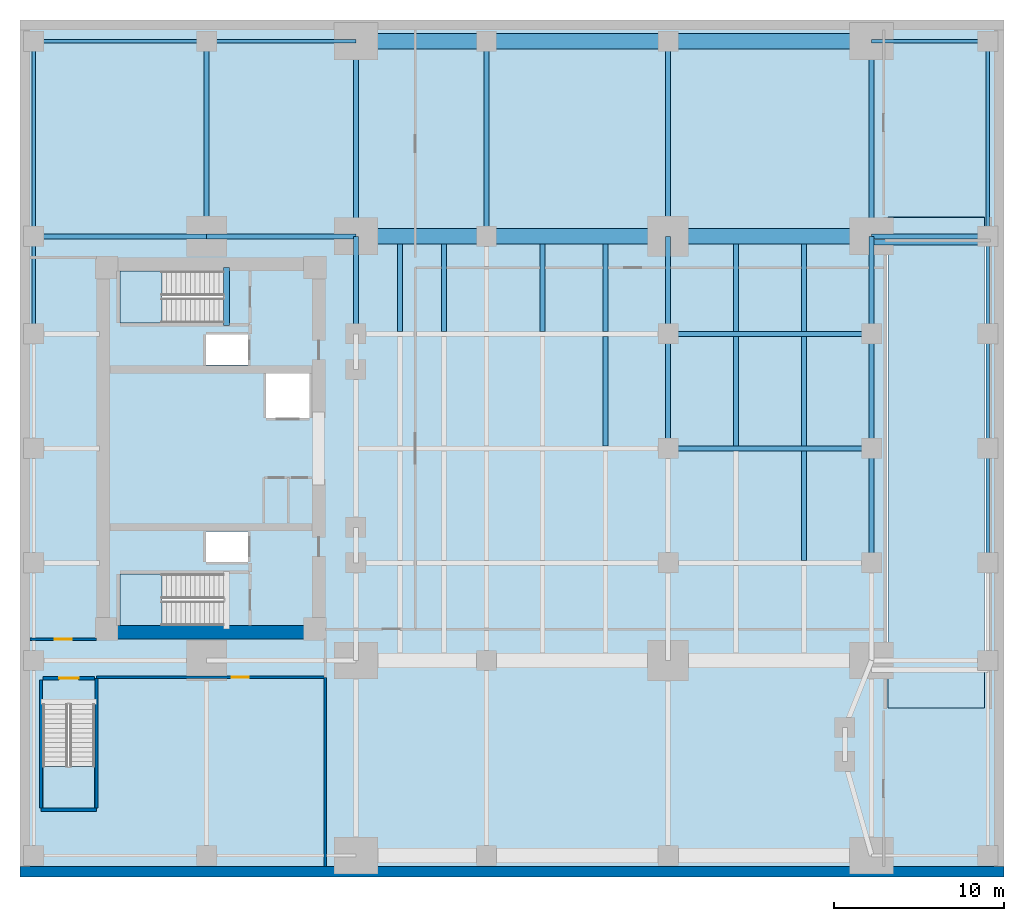
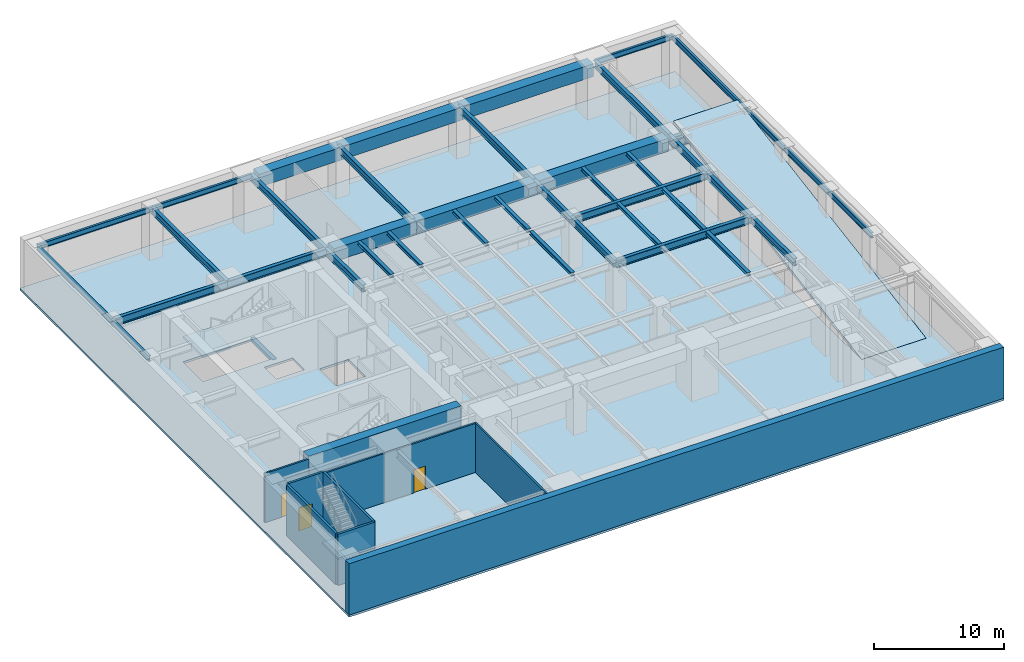
# One storey, part 2 of 5: 43 beams, 9 walls, 5 slabs, 3 doors, 3 openings, 3 elements without a shape of their own.
"""IFC4 building model written with IfcOpenShell, lengths in metres."""

from ifc_helpers import new_model, si_unit, direction, frame, frame_2d, origin, origin_2d, place, context, subcontext, project, spatial, polyline, rectangle, i_section, outline, extrude, material, layer, layer_set, material_profile, profile_set, type_object, element, fill, aggregate, save


model = new_model("IFC4")

# Units and contexts
model_context = context("Model", 3, precision=1e-05, world=origin(), true_north=direction((0.0, 1.0)))
body_context = subcontext(model_context, "Body", "Model", "MODEL_VIEW")
ifc_project = project(units=[si_unit("LENGTHUNIT", "METRE"), si_unit("AREAUNIT", "SQUARE_METRE"), si_unit("VOLUMEUNIT", "CUBIC_METRE"), si_unit("PLANEANGLEUNIT", "RADIAN"), si_unit("MASSUNIT", "GRAM", prefix="KILO")], contexts=[model_context])

# Site, building, storey
site_placement = place(None, origin())
site = spatial("IfcSite", under=ifc_project, at=site_placement, CompositionType="ELEMENT")
building_placement = place(site_placement, origin())
building = spatial("IfcBuilding", under=site, at=building_placement, Name="Kinhvarn Gate Tower", CompositionType="ELEMENT")
storey_placement = place(building_placement, frame((0.0, 0.0, -4.800048828125)))
storey = spatial("IfcBuildingStorey", under=building, at=storey_placement, Name="B01", CompositionType="ELEMENT", Elevation=-4.800048828125)

# Beams
ifc_material_1 = material(Name="Concrete C50/60", Category="concrete")
ifc_material_profile_1 = material_profile(ifc_material_1, rectangle(XDim=0.340087890625, YDim=0.320068359375, at=origin_2d()), Name="RC 340x320")
ifc_profile_set_1 = profile_set([ifc_material_profile_1], Name="Concrete C50/60")
beam_type_1 = type_object("IfcBeamType", Name="BM-LND-500", PredefinedType="BEAM", material=ifc_profile_set_1)
beam_1_placement = place(storey_placement, frame((12.1650390625, 32.5, -0.159912109375), z_axis=(0.0, 1.0, 0.0), x_axis=(-1.0, 0.0, 0.0)))
element("IfcBeam", 1, at=beam_1_placement, inside=storey, type_object=beam_type_1, Name="Stair ST2 Landing Nosing Beam (B01)", PredefinedType="BEAM", context=body_context, shape_type="SweptSolid", body=[
    extrude(rectangle(XDim=0.340087890625, YDim=0.320068359375, at=origin_2d()), origin(), (0.0, 0.0, 1.0), 3.39990234375),
])
ifc_material_2 = material(Name="Concrete C60/75", Category="concrete")
ifc_material_profile_2 = material_profile(ifc_material_2, rectangle(XDim=0.89990234375, YDim=1.199951171875, at=origin_2d()), Name="RC 900x1200")
ifc_profile_set_2 = profile_set([ifc_material_profile_2], Name="Concrete C60/75")
beam_type_2 = type_object("IfcBeamType", Name="BM-TIE-1200", PredefinedType="BEAM", material=ifc_profile_set_2)
beam_2_placement = place(storey_placement, frame((20.199951171875, 37.75, 4.0), z_axis=(1.0, 0.0, 0.0), x_axis=(0.0, 1.0, 0.0)))
element("IfcBeam", 2, at=beam_2_placement, inside=storey, type_object=beam_type_2, Name="Arch Thrust Tie-Beam TB-01-3-1", PredefinedType="BEAM", context=body_context, shape_type="SweptSolid", body=[
    extrude(rectangle(XDim=0.89990234375, YDim=1.199951171875, at=origin_2d()), origin(), (0.0, 0.0, 1.0), 7.300048828125),
])
beam_3_placement = place(storey_placement, frame((27.5, 37.75, 4.0), z_axis=(1.0, 0.0, 0.0), x_axis=(0.0, 1.0, 0.0)))
element("IfcBeam", 3, at=beam_3_placement, inside=storey, type_object=beam_type_2, Name="Arch Thrust Tie-Beam TB-01-3-2", PredefinedType="BEAM", context=body_context, shape_type="SweptSolid", body=[
    extrude(rectangle(XDim=0.89990234375, YDim=1.199951171875, at=origin_2d()), origin(), (0.0, 0.0, 1.0), 10.699951171875),
])
beam_4_placement = place(storey_placement, frame((38.199951171875, 37.75, 4.0), z_axis=(1.0, 0.0, 0.0), x_axis=(0.0, 1.0, 0.0)))
element("IfcBeam", 4, at=beam_4_placement, inside=storey, type_object=beam_type_2, Name="Arch Thrust Tie-Beam TB-01-3-3", PredefinedType="BEAM", context=body_context, shape_type="SweptSolid", body=[
    extrude(rectangle(XDim=0.89990234375, YDim=1.199951171875, at=origin_2d()), origin(), (0.0, 0.0, 1.0), 11.60009765625),
])
beam_5_placement = place(storey_placement, frame((20.199951171875, 49.25, 4.0), z_axis=(1.0, 0.0, 0.0), x_axis=(0.0, 1.0, 0.0)))
element("IfcBeam", 5, at=beam_5_placement, inside=storey, type_object=beam_type_2, Name="Arch Thrust Tie-Beam TB-01-4-1", PredefinedType="BEAM", context=body_context, shape_type="SweptSolid", body=[
    extrude(rectangle(XDim=0.89990234375, YDim=1.199951171875, at=origin_2d()), origin(), (0.0, 0.0, 1.0), 7.300048828125),
])
beam_6_placement = place(storey_placement, frame((27.5, 49.25, 4.0), z_axis=(1.0, 0.0, 0.0), x_axis=(0.0, 1.0, 0.0)))
element("IfcBeam", 6, at=beam_6_placement, inside=storey, type_object=beam_type_2, Name="Arch Thrust Tie-Beam TB-01-4-2", PredefinedType="BEAM", context=body_context, shape_type="SweptSolid", body=[
    extrude(rectangle(XDim=0.89990234375, YDim=1.199951171875, at=origin_2d()), origin(), (0.0, 0.0, 1.0), 10.699951171875),
])
beam_7_placement = place(storey_placement, frame((38.199951171875, 49.25, 4.0), z_axis=(1.0, 0.0, 0.0), x_axis=(0.0, 1.0, 0.0)))
element("IfcBeam", 7, at=beam_7_placement, inside=storey, type_object=beam_type_2, Name="Arch Thrust Tie-Beam TB-01-4-3", PredefinedType="BEAM", context=body_context, shape_type="SweptSolid", body=[
    extrude(rectangle(XDim=0.89990234375, YDim=1.199951171875, at=origin_2d()), origin(), (0.0, 0.0, 1.0), 11.60009765625),
])
ifc_material_3 = material(Name="Steel S355", Category="steel")
ifc_material_profile_3 = material_profile(ifc_material_3, i_section(OverallWidth=0.300048828125, OverallDepth=0.300048828125, WebThickness=0.010986328125, FlangeThickness=0.01904296875, at=origin_2d()), Name="HEB 300")
ifc_profile_set_3 = profile_set([ifc_material_profile_3], Name="Steel S355")
beam_type_3 = type_object("IfcBeamType", Name="STL-HEB300", PredefinedType="BEAM", material=ifc_profile_set_3)
for number, where, z_axis, x_axis, name in (
    (8, (46.199951171875, 18.64990234375, 4.449951171875), (0.0, 1.0, 0.0), (-1.0, 0.0, 0.0), "Floor Beam PG-10 (B01 J462-18)"),
    (9, (34.5, 25.39990234375, 4.449951171875), (0.0, 1.0, 0.0), (-1.0, 0.0, 0.0), "Floor Beam PG-10 (B01 J345-25)"),
    (10, (42.199951171875, 25.39990234375, 4.449951171875), (0.0, 1.0, 0.0), (-1.0, 0.0, 0.0), "Floor Beam PG-10 (B01 J422-25)"),
    (11, (46.199951171875, 25.39990234375, 4.449951171875), (0.0, 1.0, 0.0), (-1.0, 0.0, 0.0), "Floor Beam PG-10 (B01 J462-25)"),
):
    element("IfcBeam", number, at=place(storey_placement, frame(where, z_axis=z_axis, x_axis=x_axis)), inside=storey, type_object=beam_type_3, Name=name, PredefinedType="BEAM", context=body_context, shape_type="SweptSolid", body=[
        extrude(i_section(OverallWidth=0.300048828125, OverallDepth=0.300048828125, WebThickness=0.010986328125, FlangeThickness=0.01904296875, at=origin_2d()), origin(), (0.0, 0.0, 1.0), 6.4501953125),
    ])
for number, where, z_axis, x_axis, name in (
    (12, (22.39990234375, 32.14990234375, 4.449951171875), (0.0, 1.0, 0.0), (-1.0, 0.0, 0.0), "Floor Beam PG-10 (B01 J224-32)"),
    (13, (25.0, 32.14990234375, 4.449951171875), (0.0, 1.0, 0.0), (-1.0, 0.0, 0.0), "Floor Beam PG-10 (B01 J250-32)"),
    (14, (30.800048828125, 32.14990234375, 4.449951171875), (0.0, 1.0, 0.0), (-1.0, 0.0, 0.0), "Floor Beam PG-10 (B01 J308-32)"),
    (15, (34.5, 32.14990234375, 4.449951171875), (0.0, 1.0, 0.0), (-1.0, 0.0, 0.0), "Floor Beam PG-10 (B01 J345-32)"),
    (16, (42.199951171875, 32.14990234375, 4.449951171875), (0.0, 1.0, 0.0), (-1.0, 0.0, 0.0), "Floor Beam PG-10 (B01 J422-32)"),
    (17, (46.199951171875, 32.14990234375, 4.449951171875), (0.0, 1.0, 0.0), (-1.0, 0.0, 0.0), "Floor Beam PG-10 (B01 J462-32)"),
):
    element("IfcBeam", number, at=place(storey_placement, frame(where, z_axis=z_axis, x_axis=x_axis)), inside=storey, type_object=beam_type_3, Name=name, PredefinedType="BEAM", context=body_context, shape_type="SweptSolid", body=[
        extrude(i_section(OverallWidth=0.300048828125, OverallDepth=0.300048828125, WebThickness=0.010986328125, FlangeThickness=0.01904296875, at=origin_2d()), origin(), (0.0, 0.0, 1.0), 5.150146484375),
    ])
ifc_material_profile_4 = material_profile(ifc_material_3, i_section(OverallWidth=0.300048828125, OverallDepth=0.64990234375, WebThickness=0.01611328125, FlangeThickness=0.031005859375, at=origin_2d()), Name="HEB 650")
ifc_profile_set_4 = profile_set([ifc_material_profile_4], Name="Steel S355")
beam_type_4 = type_object("IfcBeamType", Name="STL-HEB650", PredefinedType="BEAM", material=ifc_profile_set_4)
beam_8_placement = place(storey_placement, frame((11.0, 37.75, 4.275146484375), z_axis=(0.0, 1.0, 0.0), x_axis=(-1.0, 0.0, 0.0)))
element("IfcBeam", 18, at=beam_8_placement, inside=storey, type_object=beam_type_4, Name="Floor Beam PG-17 (B01 NS11-N)", PredefinedType="BEAM", context=body_context, shape_type="SweptSolid", body=[
    extrude(i_section(OverallWidth=0.300048828125, OverallDepth=0.64990234375, WebThickness=0.01611328125, FlangeThickness=0.031005859375, at=origin_2d()), origin(), (0.0, 0.0, 1.0), 11.5),
])
beam_9_placement = place(storey_placement, frame((19.800048828125, 32.0, 4.275146484375), z_axis=(0.0, 1.0, 0.0), x_axis=(-1.0, 0.0, 0.0)))
element("IfcBeam", 19, at=beam_9_placement, inside=storey, type_object=beam_type_4, Name="Floor Beam PG-17 (B01 APW-6)", PredefinedType="BEAM", context=body_context, shape_type="SweptSolid", body=[
    extrude(i_section(OverallWidth=0.300048828125, OverallDepth=0.64990234375, WebThickness=0.01611328125, FlangeThickness=0.031005859375, at=origin_2d()), origin(), (0.0, 0.0, 1.0), 5.75),
])
beam_10_placement = place(storey_placement, frame((19.800048828125, 37.75, 4.275146484375), z_axis=(0.0, 1.0, 0.0), x_axis=(-1.0, 0.0, 0.0)))
element("IfcBeam", 20, at=beam_10_placement, inside=storey, type_object=beam_type_4, Name="Floor Beam PG-17 (B01 APW-7)", PredefinedType="BEAM", context=body_context, shape_type="SweptSolid", body=[
    extrude(i_section(OverallWidth=0.300048828125, OverallDepth=0.64990234375, WebThickness=0.01611328125, FlangeThickness=0.031005859375, at=origin_2d()), origin(), (0.0, 0.0, 1.0), 11.5),
])
for number, where, z_axis, x_axis, name in (
    (21, (50.199951171875, 18.5, 4.275146484375), (0.0, 1.0, 0.0), (-1.0, 0.0, 0.0), "Floor Beam PG-17 (B01 APE-3)"),
    (22, (50.199951171875, 25.25, 4.275146484375), (0.0, 1.0, 0.0), (-1.0, 0.0, 0.0), "Floor Beam PG-17 (B01 APE-4)"),
):
    element("IfcBeam", number, at=place(storey_placement, frame(where, z_axis=z_axis, x_axis=x_axis)), inside=storey, type_object=beam_type_4, Name=name, PredefinedType="BEAM", context=body_context, shape_type="SweptSolid", body=[
        extrude(i_section(OverallWidth=0.300048828125, OverallDepth=0.64990234375, WebThickness=0.01611328125, FlangeThickness=0.031005859375, at=origin_2d()), origin(), (0.0, 0.0, 1.0), 6.75),
    ])
beam_11_placement = place(storey_placement, frame((50.199951171875, 32.0, 4.275146484375), z_axis=(0.0, 1.0, 0.0), x_axis=(-1.0, 0.0, 0.0)))
element("IfcBeam", 23, at=beam_11_placement, inside=storey, type_object=beam_type_4, Name="Floor Beam PG-17 (B01 APE-5)", PredefinedType="BEAM", context=body_context, shape_type="SweptSolid", body=[
    extrude(i_section(OverallWidth=0.300048828125, OverallDepth=0.64990234375, WebThickness=0.01611328125, FlangeThickness=0.031005859375, at=origin_2d()), origin(), (0.0, 0.0, 1.0), 5.75),
])
for number, where, z_axis, x_axis, name in (
    (24, (50.199951171875, 37.75, 4.275146484375), (0.0, 1.0, 0.0), (-1.0, 0.0, 0.0), "Floor Beam PG-17 (B01 APE-6)"),
    (25, (27.5, 37.75, 4.275146484375), (0.0, 1.0, 0.0), (-1.0, 0.0, 0.0), "Floor Beam PG-17 (B01 NS27-N)"),
    (26, (38.199951171875, 37.75, 4.275146484375), (0.0, 1.0, 0.0), (-1.0, 0.0, 0.0), "Floor Beam PG-17 (B01 NS38-N)"),
):
    element("IfcBeam", number, at=place(storey_placement, frame(where, z_axis=z_axis, x_axis=x_axis)), inside=storey, type_object=beam_type_4, Name=name, PredefinedType="BEAM", context=body_context, shape_type="SweptSolid", body=[
        extrude(i_section(OverallWidth=0.300048828125, OverallDepth=0.64990234375, WebThickness=0.01611328125, FlangeThickness=0.031005859375, at=origin_2d()), origin(), (0.0, 0.0, 1.0), 11.5),
    ])
beam_12_placement = place(storey_placement, frame((38.199951171875, 25.25, 4.275146484375), z_axis=(0.0, 1.0, 0.0), x_axis=(-1.0, 0.0, 0.0)))
element("IfcBeam", 27, at=beam_12_placement, inside=storey, type_object=beam_type_4, Name="Floor Beam PG-17 (B01 NS38-25)", PredefinedType="BEAM", context=body_context, shape_type="SweptSolid", body=[
    extrude(i_section(OverallWidth=0.300048828125, OverallDepth=0.64990234375, WebThickness=0.01611328125, FlangeThickness=0.031005859375, at=origin_2d()), origin(), (0.0, 0.0, 1.0), 6.75),
])
beam_13_placement = place(storey_placement, frame((38.199951171875, 32.0, 4.275146484375), z_axis=(0.0, 1.0, 0.0), x_axis=(-1.0, 0.0, 0.0)))
element("IfcBeam", 28, at=beam_13_placement, inside=storey, type_object=beam_type_4, Name="Floor Beam PG-17 (B01 NS38-32)", PredefinedType="BEAM", context=body_context, shape_type="SweptSolid", body=[
    extrude(i_section(OverallWidth=0.300048828125, OverallDepth=0.64990234375, WebThickness=0.01611328125, FlangeThickness=0.031005859375, at=origin_2d()), origin(), (0.0, 0.0, 1.0), 5.75),
])
ifc_material_profile_5 = material_profile(ifc_material_3, i_section(OverallWidth=0.300048828125, OverallDepth=0.699951171875, WebThickness=0.01708984375, FlangeThickness=0.031982421875, at=origin_2d()), Name="HEB 700")
ifc_profile_set_5 = profile_set([ifc_material_profile_5], Name="Steel S355")
beam_type_5 = type_object("IfcBeamType", Name="STL-HEB700", PredefinedType="BEAM", material=ifc_profile_set_5)
beam_14_placement = place(storey_placement, frame((0.800048828125, 37.75, 4.25), z_axis=(1.0, 0.0, 0.0), x_axis=(0.0, 1.0, 0.0)))
element("IfcBeam", 29, at=beam_14_placement, inside=storey, type_object=beam_type_5, Name="Floor Beam PG-18 (B01 SPN-1)", PredefinedType="BEAM", context=body_context, shape_type="SweptSolid", body=[
    extrude(i_section(OverallWidth=0.300048828125, OverallDepth=0.699951171875, WebThickness=0.01708984375, FlangeThickness=0.031982421875, at=origin_2d()), origin(), (0.0, 0.0, 1.0), 10.199951171875),
])
beam_15_placement = place(storey_placement, frame((11.0, 37.75, 4.25), z_axis=(1.0, 0.0, 0.0), x_axis=(0.0, 1.0, 0.0)))
element("IfcBeam", 30, at=beam_15_placement, inside=storey, type_object=beam_type_5, Name="Floor Beam PG-18 (B01 SPN-2)", PredefinedType="BEAM", context=body_context, shape_type="SweptSolid", body=[
    extrude(i_section(OverallWidth=0.300048828125, OverallDepth=0.699951171875, WebThickness=0.01708984375, FlangeThickness=0.031982421875, at=origin_2d()), origin(), (0.0, 0.0, 1.0), 8.800048828125),
])
for number, where, z_axis, x_axis, name in (
    (31, (50.199951171875, 37.75, 3.929931640625), (1.0, 0.0, 0.0), (0.0, 1.0, 0.0), "Floor Beam PG-18 (B01 SPN-E)"),
    (32, (50.199951171875, 37.39990234375, 3.89013671875), (1.0, 0.0, 0.0), (0.0, 1.0, 0.0), "Floor Beam PG-18 (B01 RMP-TRM-2)"),
):
    element("IfcBeam", number, at=place(storey_placement, frame(where, z_axis=z_axis, x_axis=x_axis)), inside=storey, type_object=beam_type_5, Name=name, PredefinedType="BEAM", context=body_context, shape_type="SweptSolid", body=[
        extrude(i_section(OverallWidth=0.300048828125, OverallDepth=0.699951171875, WebThickness=0.01708984375, FlangeThickness=0.031982421875, at=origin_2d()), origin(), (0.0, 0.0, 1.0), 6.85009765625),
    ])
for number, where, z_axis, x_axis, name in (
    (33, (38.199951171875, 25.25, 4.25), (1.0, 0.0, 0.0), (0.0, 1.0, 0.0), "Floor Beam PG-18 (B01 BM-EW2-25)"),
    (34, (38.199951171875, 32.0, 4.25), (1.0, 0.0, 0.0), (0.0, 1.0, 0.0), "Floor Beam PG-18 (B01 BM-EW2-32)"),
):
    element("IfcBeam", number, at=place(storey_placement, frame(where, z_axis=z_axis, x_axis=x_axis)), inside=storey, type_object=beam_type_5, Name=name, PredefinedType="BEAM", context=body_context, shape_type="SweptSolid", body=[
        extrude(i_section(OverallWidth=0.300048828125, OverallDepth=0.699951171875, WebThickness=0.01708984375, FlangeThickness=0.031982421875, at=origin_2d()), origin(), (0.0, 0.0, 1.0), 12.0),
    ])
ifc_material_profile_6 = material_profile(ifc_material_3, i_section(OverallWidth=0.199951171875, OverallDepth=0.5, WebThickness=0.01025390625, FlangeThickness=0.01611328125, at=origin_2d()), Name="IPE 500")
ifc_profile_set_6 = profile_set([ifc_material_profile_6], Name="Steel S355")
beam_type_6 = type_object("IfcBeamType", Name="STL-IPE500", PredefinedType="SPANDREL", material=ifc_profile_set_6)
for number, where, z_axis, x_axis, name in (
    (35, (57.050048828125, 18.5, 4.35009765625), (0.0, 1.0, 0.0), (-1.0, 0.0, 0.0), "Floor Spandrel SB-07 (B01 PERE-3)"),
    (36, (57.050048828125, 25.25, 4.35009765625), (0.0, 1.0, 0.0), (-1.0, 0.0, 0.0), "Floor Spandrel SB-07 (B01 PERE-4)"),
):
    element("IfcBeam", number, at=place(storey_placement, frame(where, z_axis=z_axis, x_axis=x_axis)), inside=storey, type_object=beam_type_6, Name=name, PredefinedType="SPANDREL", context=body_context, shape_type="SweptSolid", body=[
        extrude(i_section(OverallWidth=0.199951171875, OverallDepth=0.5, WebThickness=0.01025390625, FlangeThickness=0.01611328125, at=origin_2d()), origin(), (0.0, 0.0, 1.0), 6.75),
    ])
for number, where, z_axis, x_axis, name in (
    (37, (0.800048828125, 32.0, 4.35009765625), (0.0, 1.0, 0.0), (-1.0, 0.0, 0.0), "Floor Spandrel SB-07 (B01 PERW-5)"),
    (38, (57.050048828125, 32.0, 4.35009765625), (0.0, 1.0, 0.0), (-1.0, 0.0, 0.0), "Floor Spandrel SB-07 (B01 PERE-5)"),
):
    element("IfcBeam", number, at=place(storey_placement, frame(where, z_axis=z_axis, x_axis=x_axis)), inside=storey, type_object=beam_type_6, Name=name, PredefinedType="SPANDREL", context=body_context, shape_type="SweptSolid", body=[
        extrude(i_section(OverallWidth=0.199951171875, OverallDepth=0.5, WebThickness=0.01025390625, FlangeThickness=0.01611328125, at=origin_2d()), origin(), (0.0, 0.0, 1.0), 5.75),
    ])
for number, where, z_axis, x_axis, name in (
    (39, (0.800048828125, 37.75, 4.35009765625), (0.0, 1.0, 0.0), (-1.0, 0.0, 0.0), "Floor Spandrel SB-07 (B01 PERW-6)"),
    (40, (57.050048828125, 37.75, 4.35009765625), (0.0, 1.0, 0.0), (-1.0, 0.0, 0.0), "Floor Spandrel SB-07 (B01 PERE-6)"),
):
    element("IfcBeam", number, at=place(storey_placement, frame(where, z_axis=z_axis, x_axis=x_axis)), inside=storey, type_object=beam_type_6, Name=name, PredefinedType="SPANDREL", context=body_context, shape_type="SweptSolid", body=[
        extrude(i_section(OverallWidth=0.199951171875, OverallDepth=0.5, WebThickness=0.01025390625, FlangeThickness=0.01611328125, at=origin_2d()), origin(), (0.0, 0.0, 1.0), 11.5),
    ])
beam_16_placement = place(storey_placement, frame((0.800048828125, 49.25, 4.35009765625), z_axis=(1.0, 0.0, 0.0), x_axis=(0.0, 1.0, 0.0)))
element("IfcBeam", 41, at=beam_16_placement, inside=storey, type_object=beam_type_6, Name="Floor Spandrel SB-07 (B01 SP-POD-NW1)", PredefinedType="SPANDREL", context=body_context, shape_type="SweptSolid", body=[
    extrude(i_section(OverallWidth=0.199951171875, OverallDepth=0.5, WebThickness=0.01025390625, FlangeThickness=0.01611328125, at=origin_2d()), origin(), (0.0, 0.0, 1.0), 10.199951171875),
])
beam_17_placement = place(storey_placement, frame((11.0, 49.25, 4.35009765625), z_axis=(1.0, 0.0, 0.0), x_axis=(0.0, 1.0, 0.0)))
element("IfcBeam", 42, at=beam_17_placement, inside=storey, type_object=beam_type_6, Name="Floor Spandrel SB-07 (B01 SP-POD-NW2)", PredefinedType="SPANDREL", context=body_context, shape_type="SweptSolid", body=[
    extrude(i_section(OverallWidth=0.199951171875, OverallDepth=0.5, WebThickness=0.01025390625, FlangeThickness=0.01611328125, at=origin_2d()), origin(), (0.0, 0.0, 1.0), 8.800048828125),
])
beam_18_placement = place(storey_placement, frame((50.199951171875, 49.25, 4.35009765625), z_axis=(1.0, 0.0, 0.0), x_axis=(0.0, 1.0, 0.0)))
element("IfcBeam", 43, at=beam_18_placement, inside=storey, type_object=beam_type_6, Name="Floor Spandrel SB-07 (B01 SP-POD-NE)", PredefinedType="SPANDREL", context=body_context, shape_type="SweptSolid", body=[
    extrude(i_section(OverallWidth=0.199951171875, OverallDepth=0.5, WebThickness=0.01025390625, FlangeThickness=0.01611328125, at=origin_2d()), origin(), (0.0, 0.0, 1.0), 6.85009765625),
])

# Slabs
ifc_material_4 = material(Name="Concrete C40/50", Category="concrete")
ifc_layer_1 = layer(ifc_material_4, 0.199951171875)
ifc_layer_set_1 = layer_set([ifc_layer_1], Name="Concrete C40/50")
slab_type_1 = type_object("IfcSlabType", Name="SLB-FLR-200", PredefinedType="FLOOR", material=ifc_layer_set_1)
slab_1_placement = place(storey_placement, frame((0.0, 0.0, -0.199951171875)))
element("IfcSlab", 44, at=slab_1_placement, inside=storey, type_object=slab_type_1, Name="Suspended Floor Slab B01", PredefinedType="FLOOR", context=body_context, shape_type="SweptSolid", body=[
    extrude(outline(polyline([(0.0, 0.0), (58.0, 0.0), (58.0, 50.5), (0.0, 50.5), (0.0, 0.0)]), holes=[polyline([(5.89990234375, 14.800048828125), (12.0, 14.800048828125), (12.0, 17.85009765625), (5.89990234375, 17.85009765625), (5.89990234375, 14.800048828125)]), polyline([(5.89990234375, 32.64990234375), (12.0, 32.64990234375), (12.0, 35.699951171875), (5.89990234375, 35.699951171875), (5.89990234375, 32.64990234375)]), polyline([(1.35009765625, 4.050048828125), (4.39990234375, 4.050048828125), (4.39990234375, 10.14990234375), (1.35009765625, 10.14990234375), (1.35009765625, 4.050048828125)]), polyline([(14.5, 27.050048828125), (17.050048828125, 27.050048828125), (17.050048828125, 29.64990234375), (14.5, 29.64990234375), (14.5, 27.050048828125)]), polyline([(10.949951171875, 18.550048828125), (13.449951171875, 18.550048828125), (13.449951171875, 20.35009765625), (10.949951171875, 20.35009765625), (10.949951171875, 18.550048828125)]), polyline([(10.949951171875, 30.14990234375), (13.449951171875, 30.14990234375), (13.449951171875, 31.949951171875), (10.949951171875, 31.949951171875), (10.949951171875, 30.14990234375)]), polyline([(51.10009765625, 12.199951171875), (57.10009765625, 12.199951171875), (57.10009765625, 37.39990234375), (51.10009765625, 37.39990234375), (51.10009765625, 12.199951171875)])]), origin(), (0.0, 0.0, 1.0), 0.199951171875),
])
ifc_layer_2 = layer(ifc_material_1, 0.25)
ifc_layer_set_2 = layer_set([ifc_layer_2], Name="Concrete C50/60")
slab_type_2 = type_object("IfcSlabType", Name="SLB-RMP-250", PredefinedType="FLOOR", material=ifc_layer_set_2)
slab_2_placement = place(storey_placement, frame((51.14990234375, 9.949951171875, 0.0), z_axis=(0.0, -0.163846243354, 0.986485888667), x_axis=(1.0, 0.0, 0.0)))
element("IfcSlab", 45, at=slab_2_placement, inside=storey, type_object=slab_type_2, Name="Basement Car Park Vehicle Ramp Slab VR-01 (B01)", PredefinedType="FLOOR", context=body_context, shape_type="SweptSolid", body=[
    extrude(outline(polyline([(0.0, 0.0), (5.7001953125, 0.0), (5.7001953125, 29.296142578125), (0.0, 29.296142578125), (0.0, 0.0)])), origin(), (0.0, 0.0, -1.0), 0.25),
])

# Stair, slab
stair_type = type_object("IfcStairType", Name="STR-DLG-171", PredefinedType="HALF_TURN_STAIR", material=ifc_material_4)
stair_1_placement = place(storey_placement, origin())
stair_1 = element("IfcStair", 46, at=stair_1_placement, inside=storey, type_object=stair_type, Name="B01 Core Smokeproof Exit Stair ST1", PredefinedType="HALF_TURN_STAIR")
ifc_layer_3 = layer(ifc_material_4, 0.199951171875)
ifc_layer_set_3 = layer_set([ifc_layer_3], Name="Concrete C40/50")
slab_type_3 = type_object("IfcSlabType", Name="SLB-ST-LND", PredefinedType="LANDING", material=ifc_layer_set_3)
slab_3_placement = place(storey_placement, frame((0.0, 0.0, 2.199951171875)))
slab_3 = element("IfcSlab", 47, at=slab_3_placement, type_object=slab_type_3, Name="ST1 landing 1", PredefinedType="LANDING", context=body_context, shape_type="SweptSolid", body=[
    extrude(outline(polyline([(8.360107421875, 17.85009765625), (5.89990234375, 17.85009765625), (5.89990234375, 14.800048828125), (8.360107421875, 14.800048828125), (8.360107421875, 17.85009765625)])), origin(), (0.0, 0.0, 1.0), 0.2001953125),
])
aggregate(stair_1, [slab_3])

stair_2_placement = place(storey_placement, origin())
stair_2 = element("IfcStair", 48, at=stair_2_placement, inside=storey, type_object=stair_type, Name="B01 Core Smokeproof Exit Stair ST2", PredefinedType="HALF_TURN_STAIR")
slab_4_placement = place(storey_placement, frame((0.0, 0.0, 2.199951171875)))
slab_4 = element("IfcSlab", 49, at=slab_4_placement, type_object=slab_type_3, Name="ST2 landing 1", PredefinedType="LANDING", context=body_context, shape_type="SweptSolid", body=[
    extrude(outline(polyline([(8.360107421875, 35.699951171875), (5.89990234375, 35.699951171875), (5.89990234375, 32.64990234375), (8.360107421875, 32.64990234375), (8.360107421875, 35.699951171875)])), origin(), (0.0, 0.0, 1.0), 0.2001953125),
])
aggregate(stair_2, [slab_4])

stair_3_placement = place(storey_placement, origin())
stair_3 = element("IfcStair", 50, at=stair_3_placement, inside=storey, type_object=stair_type, Name="B01 Podium & Basement Protected Exit Stair ST3", PredefinedType="HALF_TURN_STAIR")
slab_5_placement = place(storey_placement, frame((0.0, 0.0, 2.199951171875)))
slab_5 = element("IfcSlab", 51, at=slab_5_placement, type_object=slab_type_3, Name="ST3 landing 1", PredefinedType="LANDING", context=body_context, shape_type="SweptSolid", body=[
    extrude(outline(polyline([(1.35009765625, 6.510009765625), (1.35009765625, 4.050048828125), (4.39990234375, 4.050048828125), (4.39990234375, 6.510009765625), (1.35009765625, 6.510009765625)])), origin(), (0.0, 0.0, 1.0), 0.2001953125),
])
aggregate(stair_3, [slab_5])

# Wall
ifc_material_5 = material(Name="Concrete C70/85", Category="concrete")
ifc_layer_4 = layer(ifc_material_5, 0.800048828125)
ifc_layer_set_4 = layer_set([ifc_layer_4], Name="Concrete C70/85")
wall_type_1 = type_object("IfcWallType", Name="WL-CORE-800", PredefinedType="SHEAR", material=ifc_layer_set_4)
wall_1_placement = place(storey_placement, frame((4.5, 14.39990234375, 0.0), z_axis=(0.0, 0.0, 1.0), x_axis=(1.0, 0.0, 0.0)))
element("IfcWall", 52, at=wall_1_placement, inside=storey, type_object=wall_type_1, Name="Core South Shear Wall B01 800 mm", PredefinedType="SHEAR", context=body_context, shape_type="SweptSolid", body=[
    extrude(rectangle(XDim=13.5, YDim=0.800048828125, at=frame_2d((6.75, 0.0))), origin(), (0.0, 0.0, 1.0), 4.800048828125),
])

# Wall, opening, door
ifc_material_6 = material(Name="Gypsum acoustic partition board")
ifc_layer_5 = layer(ifc_material_6, 0.14990234375)
ifc_layer_set_5 = layer_set([ifc_layer_5], Name="Gypsum acoustic partition board")
wall_type_2 = type_object("IfcWallType", Name="WL-PRT-150F", PredefinedType="PARTITIONING", material=ifc_layer_set_5)
wall_2_placement = place(storey_placement, frame((4.52001953125, 11.75, 0.0), z_axis=(0.0, 0.0, 1.0), x_axis=(1.0, 0.0, 0.0)))
wall_2 = element("IfcWall", 53, at=wall_2_placement, inside=storey, type_object=wall_type_2, Name="Interior Partition PW-150F (B01)", PredefinedType="PARTITIONING", context=body_context, shape_type="SweptSolid", body=[
    extrude(rectangle(XDim=13.47998046875, YDim=0.14990234375, at=frame_2d((6.739990234375, 0.0))), origin(), (0.0, 0.0, 1.0), 4.60009765625),
])
opening_1_placement = place(wall_2_placement, frame((7.9609375, 0.0, 0.0)))
opening_1 = element("IfcOpeningElement", 54, at=opening_1_placement, cuts=wall_2, Name="Opening FD-03", PredefinedType="OPENING", context=body_context, shape_type="SweptSolid", body=[
    extrude(rectangle(XDim=1.0, YDim=2.14990234375, at=frame_2d((0.5, 1.074951171875))), frame((0.0, 0.0849609375, 0.0), z_axis=(0.0, -1.0, 0.0), x_axis=(1.0, 0.0, 0.0)), (0.0, 0.0, 1.0), 0.169921875),
])
ifc_material_7 = material(Name="Anodised aluminium AW-6063", Category="aluminium")
door_type_1 = type_object("IfcDoorType", Name="DR-FD-1000", OperationType="NOTDEFINED", PredefinedType="DOOR", material=ifc_material_7)
door_1_placement = place(opening_1_placement, origin())
door_1 = element("IfcDoor", 55, at=door_1_placement, inside=storey, type_object=door_type_1, Name="Rated Plant & Corridor Fire Door 1000x2150 mm (B01)", OperationType="SINGLE_SWING_LEFT", OverallHeight=2.14990234375, OverallWidth=1.0, PredefinedType="DOOR", context=body_context, shape_type="SweptSolid", body=[
    extrude(rectangle(XDim=1.0, YDim=2.14990234375, at=frame_2d((0.5, 1.074951171875))), frame((0.0, 0.02490234375, 0.0), z_axis=(0.0, -1.0, 0.0), x_axis=(1.0, 0.0, 0.0)), (0.0, 0.0, 1.0), 0.050048828125),
])
fill(opening_1, door_1)

wall_3_placement = place(storey_placement, frame((0.60009765625, 14.0, 0.0), z_axis=(0.0, 0.0, 1.0), x_axis=(1.0, 0.0, 0.0)))
wall_3 = element("IfcWall", 56, at=wall_3_placement, inside=storey, type_object=wall_type_2, Name="Interior Partition PW-150F (B01)", PredefinedType="PARTITIONING", context=body_context, shape_type="SweptSolid", body=[
    extrude(rectangle(XDim=3.89990234375, YDim=0.14990234375, at=frame_2d((1.949951171875, 0.0))), origin(), (0.0, 0.0, 1.0), 4.60009765625),
])
opening_2_placement = place(wall_3_placement, frame((1.449951171875, 0.0, 0.0)))
opening_2 = element("IfcOpeningElement", 57, at=opening_2_placement, cuts=wall_3, Name="Opening FD-03", PredefinedType="OPENING", context=body_context, shape_type="SweptSolid", body=[
    extrude(rectangle(XDim=1.0, YDim=2.14990234375, at=frame_2d((0.5, 1.074951171875))), frame((0.0, 0.0849609375, 0.0), z_axis=(0.0, -1.0, 0.0), x_axis=(1.0, 0.0, 0.0)), (0.0, 0.0, 1.0), 0.169921875),
])
door_2_placement = place(opening_2_placement, origin())
door_2 = element("IfcDoor", 58, at=door_2_placement, inside=storey, type_object=door_type_1, Name="Rated Plant & Corridor Fire Door 1000x2150 mm (B01)", OperationType="SINGLE_SWING_RIGHT", OverallHeight=2.14990234375, OverallWidth=1.0, PredefinedType="DOOR", context=body_context, shape_type="SweptSolid", body=[
    extrude(rectangle(XDim=1.0, YDim=2.14990234375, at=frame_2d((0.5, 1.074951171875))), frame((0.0, 0.02490234375, 0.0), z_axis=(0.0, -1.0, 0.0), x_axis=(1.0, 0.0, 0.0)), (0.0, 0.0, 1.0), 0.050048828125),
])
fill(opening_2, door_2)

# Walls
wall_4_placement = place(storey_placement, frame((18.0, 0.60009765625, 0.0), z_axis=(0.0, 0.0, 1.0), x_axis=(0.0, 1.0, 0.0)))
element("IfcWall", 59, at=wall_4_placement, inside=storey, type_object=wall_type_2, Name="Interior Partition PW-150F (B01)", PredefinedType="PARTITIONING", context=body_context, shape_type="SweptSolid", body=[
    extrude(rectangle(XDim=11.14990234375, YDim=0.14990234375, at=frame_2d((5.574951171875, 0.0))), origin(), (0.0, 0.0, 1.0), 4.60009765625),
])
ifc_layer_6 = layer(ifc_material_1, 0.60009765625)
ifc_layer_set_6 = layer_set([ifc_layer_6], Name="Concrete C50/60")
wall_type_3 = type_object("IfcWallType", Name="WL-RET-600", PredefinedType="USERDEFINED", material=ifc_layer_set_6)
wall_5_placement = place(storey_placement, frame((0.0, 0.300048828125, 0.0), z_axis=(0.0, 0.0, 1.0), x_axis=(1.0, 0.0, 0.0)))
element("IfcWall", 60, at=wall_5_placement, inside=storey, type_object=wall_type_3, Name="South Diaphragm Retaining Wall B01 600 mm", ObjectType="RETAININGWALL", PredefinedType="USERDEFINED", context=body_context, shape_type="SweptSolid", body=[
    extrude(rectangle(XDim=58.0, YDim=0.60009765625, at=frame_2d((29.0, 0.0))), origin(), (0.0, 0.0, 1.0), 4.800048828125),
])
ifc_layer_7 = layer(ifc_material_4, 0.199951171875)
ifc_layer_set_7 = layer_set([ifc_layer_7], Name="Concrete C40/50")
wall_type_4 = type_object("IfcWallType", Name="WL-SHF-200", PredefinedType="SOLIDWALL", material=ifc_layer_set_7)
wall_6_placement = place(storey_placement, frame((1.25, 3.949951171875, 0.0), z_axis=(0.0, 0.0, 1.0), x_axis=(1.0, 0.0, 0.0)))
element("IfcWall", 61, at=wall_6_placement, inside=storey, type_object=wall_type_4, Name="Stair ST3 South Shaft Wall (B01)", PredefinedType="SOLIDWALL", context=body_context, shape_type="SweptSolid", body=[
    extrude(rectangle(XDim=3.25, YDim=0.199951171875, at=frame_2d((1.625, 0.0))), origin(), (0.0, 0.0, 1.0), 4.800048828125),
])
wall_7_placement = place(storey_placement, frame((1.239990234375, 4.050048828125, 0.0), z_axis=(0.0, 0.0, 1.0), x_axis=(0.0, 1.0, 0.0)))
element("IfcWall", 62, at=wall_7_placement, inside=storey, type_object=wall_type_4, Name="Stair ST3 West Shaft Wall (B01)", PredefinedType="SOLIDWALL", context=body_context, shape_type="SweptSolid", body=[
    extrude(rectangle(XDim=7.550048828125, YDim=0.199951171875, at=frame_2d((3.77490234375, 0.0))), origin(), (0.0, 0.0, 1.0), 4.800048828125),
])
wall_8_placement = place(storey_placement, frame((4.510009765625, 4.050048828125, 0.0), z_axis=(0.0, 0.0, 1.0), x_axis=(0.0, 1.0, 0.0)))
element("IfcWall", 63, at=wall_8_placement, inside=storey, type_object=wall_type_4, Name="Stair ST3 East Shaft Wall (B01)", PredefinedType="SOLIDWALL", context=body_context, shape_type="SweptSolid", body=[
    extrude(rectangle(XDim=7.64990234375, YDim=0.199951171875, at=frame_2d((3.824951171875, 0.0))), origin(), (0.0, 0.0, 1.0), 4.800048828125),
])

# Wall, opening, door
wall_9_placement = place(storey_placement, frame((1.35009765625, 11.7099609375, 0.0), z_axis=(0.0, 0.0, 1.0), x_axis=(1.0, 0.0, 0.0)))
wall_9 = element("IfcWall", 64, at=wall_9_placement, inside=storey, type_object=wall_type_4, Name="Stair ST3 North Entry Wall (B01)", PredefinedType="SOLIDWALL", context=body_context, shape_type="SweptSolid", body=[
    extrude(rectangle(XDim=3.0498046875, YDim=0.199951171875, at=frame_2d((1.52490234375, 0.0))), origin(), (0.0, 0.0, 1.0), 4.800048828125),
])
opening_3_placement = place(wall_9_placement, frame((0.949951171875, 0.0, 0.0)))
opening_3 = element("IfcOpeningElement", 65, at=opening_3_placement, cuts=wall_9, Name="Opening FD-01", PredefinedType="OPENING", context=body_context, shape_type="SweptSolid", body=[
    extrude(rectangle(XDim=1.14990234375, YDim=2.14990234375, at=frame_2d((0.574951171875, 1.074951171875))), frame((0.0, 0.10986328125, 0.0), z_axis=(0.0, -1.0, 0.0), x_axis=(1.0, 0.0, 0.0)), (0.0, 0.0, 1.0), 0.219970703125),
])
door_type_2 = type_object("IfcDoorType", Name="DR-ST-1150", OperationType="NOTDEFINED", PredefinedType="DOOR", material=ifc_material_7)
door_3_placement = place(opening_3_placement, origin())
door_3 = element("IfcDoor", 66, at=door_3_placement, inside=storey, type_object=door_type_2, Name="Exit Stair ST3 Fire Door (B01)", OperationType="SINGLE_SWING_LEFT", OverallHeight=2.14990234375, OverallWidth=1.14990234375, PredefinedType="DOOR", context=body_context, shape_type="SweptSolid", body=[
    extrude(rectangle(XDim=1.14990234375, YDim=2.14990234375, at=frame_2d((0.574951171875, 1.074951171875))), frame((0.0, 0.02490234375, 0.0), z_axis=(0.0, -1.0, 0.0), x_axis=(1.0, 0.0, 0.0)), (0.0, 0.0, 1.0), 0.050048828125),
])
fill(opening_3, door_3)

save(model, "model.ifc")
